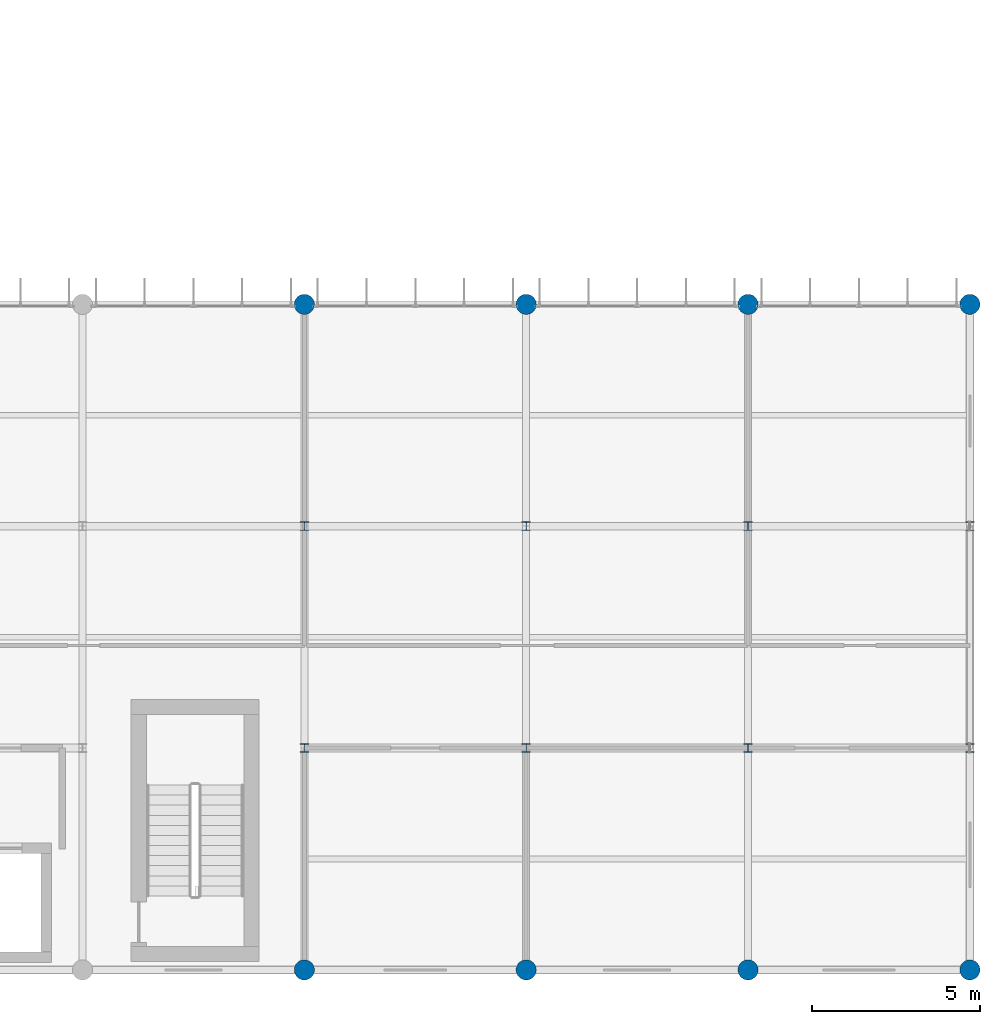
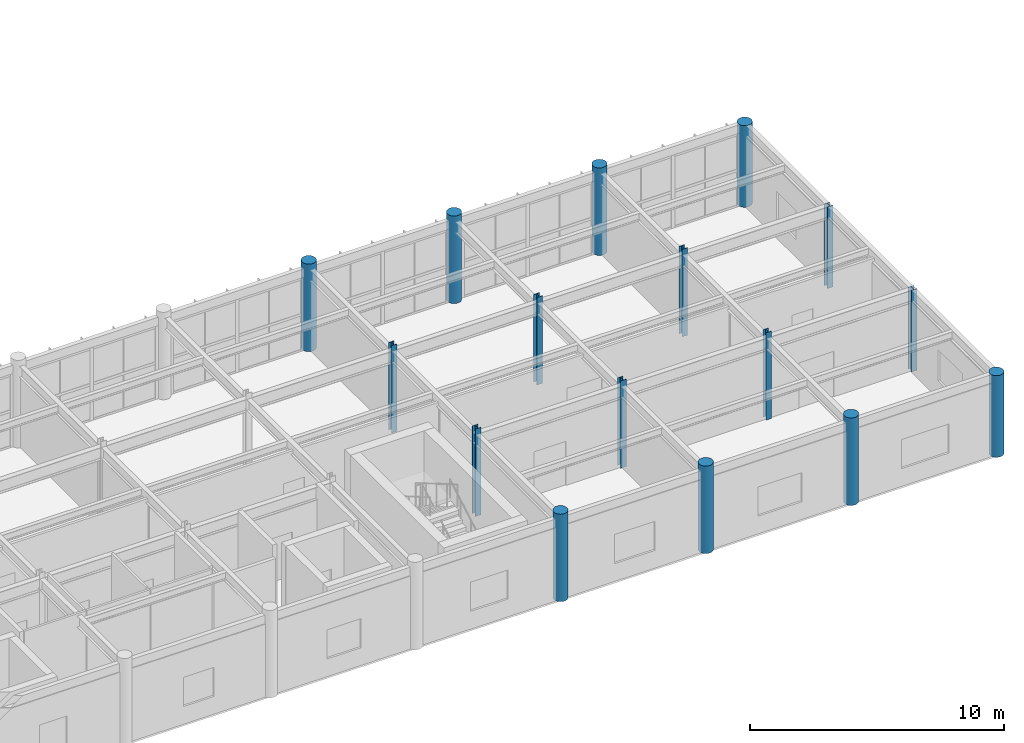
# One storey, part 7 of 66: 16 columns.
"""IFC4 building model written with IfcOpenShell, lengths in metres."""

from ifc_helpers import new_model, si_unit, direction, frame, origin, origin_2d, place, context, subcontext, project, spatial, circle, i_section, extrude, material, material_profile, profile_set, type_object, element, save


model = new_model("IFC4")

# Units and contexts
model_context = context("Model", 3, precision=1e-05, world=origin(), true_north=direction((0.0, 1.0)))
body_context = subcontext(model_context, "Body", "Model", "MODEL_VIEW")
ifc_project = project(units=[si_unit("LENGTHUNIT", "METRE"), si_unit("AREAUNIT", "SQUARE_METRE"), si_unit("VOLUMEUNIT", "CUBIC_METRE"), si_unit("PLANEANGLEUNIT", "RADIAN"), si_unit("MASSUNIT", "GRAM", prefix="KILO")], contexts=[model_context])

# Site, building, storey
site_placement = place(None, origin())
site = spatial("IfcSite", under=ifc_project, at=site_placement, CompositionType="ELEMENT")
building_placement = place(site_placement, origin())
building = spatial("IfcBuilding", under=site, at=building_placement, Name="Karori Crest Natural Sciences Institute", CompositionType="ELEMENT")
storey_placement = place(building_placement, frame((0.0, 0.0, 30.10009765625)))
storey = spatial("IfcBuildingStorey", under=building, at=storey_placement, Name="L07", CompositionType="ELEMENT", Elevation=30.10009765625)

# Columns
ifc_material_1 = material(Name="Structural steel AS/NZS 3679.1 Grade 350", Category="steel")
ifc_material_profile_1 = material_profile(ifc_material_1, i_section(OverallWidth=0.25390625, OverallDepth=0.25390625, WebThickness=0.008544921875, FlangeThickness=0.01416015625, FilletRadius=0.013916015625, at=origin_2d()), Name="250UC72.9")
ifc_profile_set_1 = profile_set([ifc_material_profile_1], Name="Structural steel AS/NZS 3679.1 Grade 350")
column_type_1 = type_object("IfcColumnType", Name="CT-07-IL", PredefinedType="COLUMN", material=ifc_profile_set_1)
for number, where, z_axis, x_axis, name in (
    (1, (136.60009765625, 7.39990234375, 0.0), (0.0, 0.0, 1.0), (1.0, 0.0, 0.0), "Column C-1277"),
    (2, (136.60009765625, 14.0, 0.0), (0.0, 0.0, 1.0), (1.0, 0.0, 0.0), "Column C-1289"),
    (3, (143.199951171875, 7.39990234375, 0.0), (0.0, 0.0, 1.0), (1.0, 0.0, 0.0), "Column C-1324"),
    (4, (143.199951171875, 14.0, 0.0), (0.0, 0.0, 1.0), (1.0, 0.0, 0.0), "Column C-1335"),
    (5, (149.800048828125, 7.39990234375, 0.0), (0.0, 0.0, 1.0), (1.0, 0.0, 0.0), "Column C-1368"),
    (6, (149.800048828125, 14.0, 0.0), (0.0, 0.0, 1.0), (1.0, 0.0, 0.0), "Column C-1379"),
):
    element("IfcColumn", number, at=place(storey_placement, frame(where, z_axis=z_axis, x_axis=x_axis)), inside=storey, type_object=column_type_1, Name=name, PredefinedType="COLUMN", context=body_context, shape_type="SweptSolid", body=[
        extrude(i_section(OverallWidth=0.25390625, OverallDepth=0.25390625, WebThickness=0.008544921875, FlangeThickness=0.01416015625, FilletRadius=0.013916015625, at=origin_2d()), origin(), (0.0, 0.0, 1.0), 4.199951171875),
    ])
for number, where, z_axis, x_axis, name in (
    (7, (156.39990234375, 7.39990234375, 0.0), (0.0, 0.0, 1.0), (1.0, 0.0, 0.0), "Column C-1410"),
    (8, (156.39990234375, 14.0, 0.0), (0.0, 0.0, 1.0), (1.0, 0.0, 0.0), "Column C-1419"),
):
    element("IfcColumn", number, at=place(storey_placement, frame(where, z_axis=z_axis, x_axis=x_axis)), inside=storey, type_object=column_type_1, Name=name, PredefinedType="COLUMN", context=body_context, shape_type="SweptSolid", body=[
        extrude(i_section(OverallWidth=0.25390625, OverallDepth=0.25390625, WebThickness=0.008544921875, FlangeThickness=0.01416015625, FilletRadius=0.013916015625, at=origin_2d()), origin(), (0.0, 0.0, 1.0), 3.919921875),
    ])
ifc_material_2 = material(Name="Concrete 50 MPa", Category="concrete")
ifc_material_profile_2 = material_profile(ifc_material_2, circle(Radius=0.300048828125, at=origin_2d()), Name="RCC600")
ifc_profile_set_2 = profile_set([ifc_material_profile_2], Name="Concrete 50 MPa")
column_type_2 = type_object("IfcColumnType", Name="CT-24", PredefinedType="PILASTER", material=ifc_profile_set_2)
for number, where, z_axis, x_axis, name in (
    (9, (136.60009765625, 0.800048828125, 0.0), (0.0, 0.0, 1.0), (1.0, 0.0, 0.0), "Column C-1265"),
    (10, (136.60009765625, 20.60009765625, 0.0), (0.0, 0.0, 1.0), (1.0, 0.0, 0.0), "Column C-1301"),
    (11, (143.199951171875, 0.800048828125, 0.0), (0.0, 0.0, 1.0), (1.0, 0.0, 0.0), "Column C-1313"),
    (12, (143.199951171875, 20.60009765625, 0.0), (0.0, 0.0, 1.0), (1.0, 0.0, 0.0), "Column C-1346"),
    (13, (149.800048828125, 0.800048828125, 0.0), (0.0, 0.0, 1.0), (1.0, 0.0, 0.0), "Column C-1357"),
    (14, (149.800048828125, 20.60009765625, 0.0), (0.0, 0.0, 1.0), (1.0, 0.0, 0.0), "Column C-1390"),
):
    element("IfcColumn", number, at=place(storey_placement, frame(where, z_axis=z_axis, x_axis=x_axis)), inside=storey, type_object=column_type_2, Name=name, PredefinedType="PILASTER", context=body_context, shape_type="SweptSolid", body=[
        extrude(circle(Radius=0.300048828125, at=origin_2d()), origin(), (0.0, 0.0, 1.0), 4.199951171875),
    ])
for number, where, z_axis, x_axis, name in (
    (15, (156.39990234375, 0.800048828125, 0.0), (0.0, 0.0, 1.0), (1.0, 0.0, 0.0), "Column C-1401"),
    (16, (156.39990234375, 20.60009765625, 0.0), (0.0, 0.0, 1.0), (1.0, 0.0, 0.0), "Column C-1428"),
):
    element("IfcColumn", number, at=place(storey_placement, frame(where, z_axis=z_axis, x_axis=x_axis)), inside=storey, type_object=column_type_2, Name=name, PredefinedType="PILASTER", context=body_context, shape_type="SweptSolid", body=[
        extrude(circle(Radius=0.300048828125, at=origin_2d()), origin(), (0.0, 0.0, 1.0), 3.919921875),
    ])

save(model, "model.ifc")
